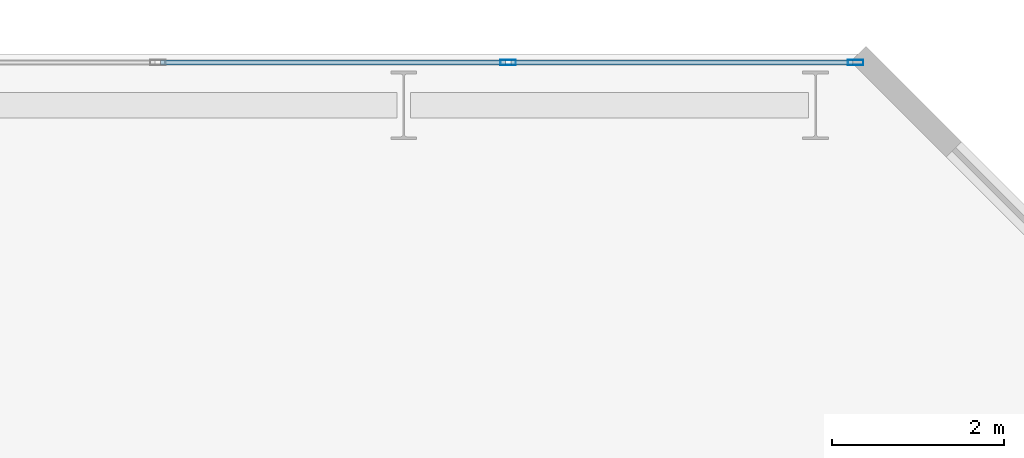
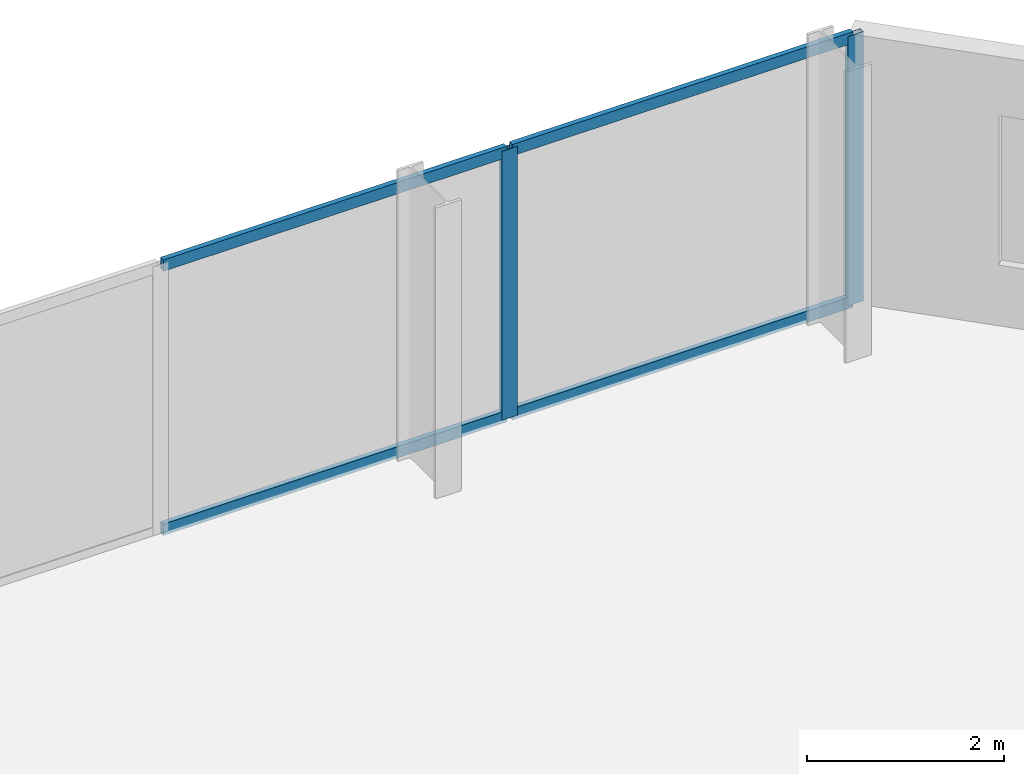
# One storey, part 26 of 32: 6 members, 1 element without a shape of its own.
"""IFC4 building model written with IfcOpenShell, lengths in metres."""

from ifc_helpers import new_model, si_unit, direction, frame, origin, origin_2d, place, context, subcontext, project, spatial, hollow_rectangle, extrude, material, layer, layer_set, material_profile, profile_set, type_object, element, aggregate, save


model = new_model("IFC4")

# Units and contexts
model_context = context("Model", 3, precision=1e-05, world=origin(), true_north=direction((0.0, 1.0)))
body_context = subcontext(model_context, "Body", "Model", "MODEL_VIEW")
ifc_project = project(units=[si_unit("LENGTHUNIT", "METRE"), si_unit("AREAUNIT", "SQUARE_METRE"), si_unit("VOLUMEUNIT", "CUBIC_METRE"), si_unit("PLANEANGLEUNIT", "RADIAN"), si_unit("MASSUNIT", "GRAM", prefix="KILO")], contexts=[model_context])

# Site, building, storey
site_placement = place(None, origin())
site = spatial("IfcSite", under=ifc_project, at=site_placement, CompositionType="ELEMENT")
building_placement = place(site_placement, origin())
building = spatial("IfcBuilding", under=site, at=building_placement, Name="Catumbela Crestline Tower", CompositionType="ELEMENT")
storey_placement = place(building_placement, frame((0.0, 0.0, 65.4)))
storey = spatial("IfcBuildingStorey", under=building, at=storey_placement, Name="L16", CompositionType="ELEMENT", Elevation=65.4)

# Curtain wall, members
ifc_material = material(Name="Aluminium alloy AW-6060-T66", Category="aluminium")
ifc_layer = layer(ifc_material, 0.18, Name="Aluminium alloy AW-6060-T66")
ifc_layer_set = layer_set([ifc_layer], Name="Aluminium alloy AW-6060-T66")
curtain_wall_type = type_object("IfcCurtainWallType", Name="CWU-Z1", PredefinedType="USERDEFINED", material=ifc_layer_set)
curtain_wall_placement = place(storey_placement, origin())
curtain_wall = element("IfcCurtainWall", 1, at=curtain_wall_placement, inside=storey, type_object=curtain_wall_type, Name="L16 Unitised Curtain Wall CW-L16-E7S1", ObjectType="UNITISED", PredefinedType="USERDEFINED")
ifc_material_profile_1 = material_profile(ifc_material, hollow_rectangle(XDim=0.065, YDim=0.18, WallThickness=0.004, at=origin_2d()), Name="ALU 180x65x4")
ifc_profile_set_1 = profile_set([ifc_material_profile_1], Name="Aluminium alloy AW-6060-T66")
member_type_1 = type_object("IfcMemberType", Name="MUL-180X65", PredefinedType="MULLION", material=ifc_profile_set_1)
member_1_placement = place(storey_placement, frame((52.4675, 47.9, 0.0), z_axis=(0.0, 0.0, 1.0), x_axis=(0.0, -1.0, 0.0)))
member_1 = element("IfcMember", 2, at=member_1_placement, type_object=member_type_1, Name="CWU-Z1 mullion 1", PredefinedType="MULLION", context=body_context, shape_type="SweptSolid", body=[
    extrude(hollow_rectangle(XDim=0.065, YDim=0.18, WallThickness=0.004, at=origin_2d()), origin(), (0.0, 0.0, 1.0), 3.33),
])
member_2_placement = place(storey_placement, frame((48.4167, 47.9, 0.0), z_axis=(0.0, 0.0, 1.0), x_axis=(0.0, -1.0, 0.0)))
member_2 = element("IfcMember", 3, at=member_2_placement, type_object=member_type_1, Name="CWU-Z1 mullion 2", PredefinedType="MULLION", context=body_context, shape_type="SweptSolid", body=[
    extrude(hollow_rectangle(XDim=0.065, YDim=0.18, WallThickness=0.004, at=origin_2d()), origin(), (0.0, 0.0, 1.0), 3.33),
])
ifc_material_profile_2 = material_profile(ifc_material, hollow_rectangle(XDim=0.06, YDim=0.14, WallThickness=0.004, at=origin_2d()), Name="ALU 140x60x4")
ifc_profile_set_2 = profile_set([ifc_material_profile_2], Name="Aluminium alloy AW-6060-T66")
member_type_2 = type_object("IfcMemberType", Name="TRN-140X60", PredefinedType="USERDEFINED", material=ifc_profile_set_2)
member_3_placement = place(storey_placement, frame((52.435, 47.9, 0.03), z_axis=(-1.0, 0.0, 0.0), x_axis=(0.0, -1.0, 0.0)))
member_3 = element("IfcMember", 4, at=member_3_placement, type_object=member_type_2, Name="CWU-Z1 transom 1.1", ObjectType="TRANSOM", PredefinedType="USERDEFINED", context=body_context, shape_type="SweptSolid", body=[
    extrude(hollow_rectangle(XDim=0.06, YDim=0.14, WallThickness=0.004, at=origin_2d()), origin(), (0.0, 0.0, 1.0), 3.9858),
])
member_4_placement = place(storey_placement, frame((52.435, 47.9, 3.3), z_axis=(-1.0, 0.0, 0.0), x_axis=(0.0, -1.0, 0.0)))
member_4 = element("IfcMember", 5, at=member_4_placement, type_object=member_type_2, Name="CWU-Z1 transom 1.2", ObjectType="TRANSOM", PredefinedType="USERDEFINED", context=body_context, shape_type="SweptSolid", body=[
    extrude(hollow_rectangle(XDim=0.06, YDim=0.14, WallThickness=0.004, at=origin_2d()), origin(), (0.0, 0.0, 1.0), 3.9858),
])
member_5_placement = place(storey_placement, frame((48.3842, 47.9, 0.03), z_axis=(-1.0, 0.0, 0.0), x_axis=(0.0, -1.0, 0.0)))
member_5 = element("IfcMember", 6, at=member_5_placement, type_object=member_type_2, Name="CWU-Z1 transom 2.1", ObjectType="TRANSOM", PredefinedType="USERDEFINED", context=body_context, shape_type="SweptSolid", body=[
    extrude(hollow_rectangle(XDim=0.06, YDim=0.14, WallThickness=0.004, at=origin_2d()), origin(), (0.0, 0.0, 1.0), 4.0184),
])
member_6_placement = place(storey_placement, frame((48.3842, 47.9, 3.3), z_axis=(-1.0, 0.0, 0.0), x_axis=(0.0, -1.0, 0.0)))
member_6 = element("IfcMember", 7, at=member_6_placement, type_object=member_type_2, Name="CWU-Z1 transom 2.2", ObjectType="TRANSOM", PredefinedType="USERDEFINED", context=body_context, shape_type="SweptSolid", body=[
    extrude(hollow_rectangle(XDim=0.06, YDim=0.14, WallThickness=0.004, at=origin_2d()), origin(), (0.0, 0.0, 1.0), 4.0184),
])
aggregate(curtain_wall, [member_1, member_2, member_3, member_4, member_5, member_6])

save(model, "model.ifc")
